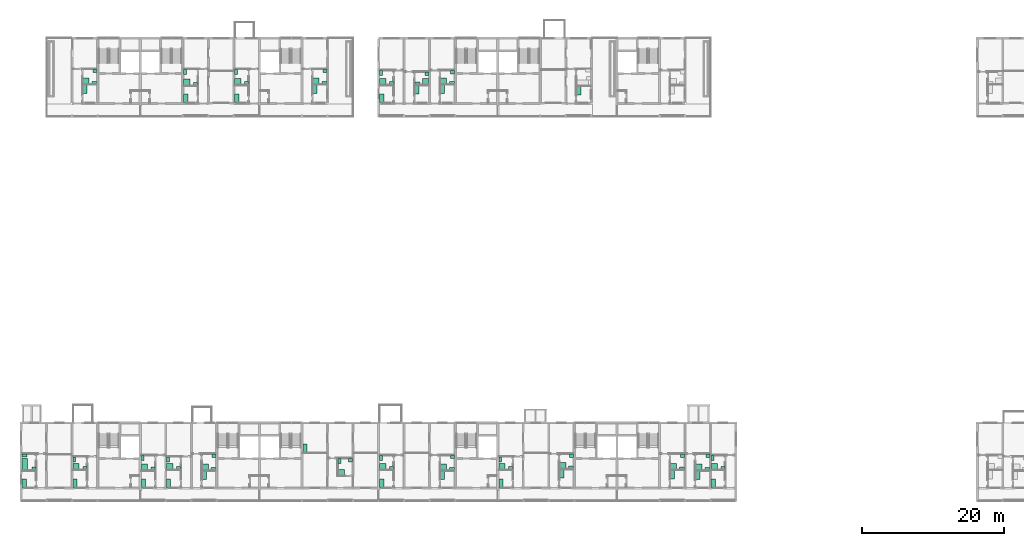
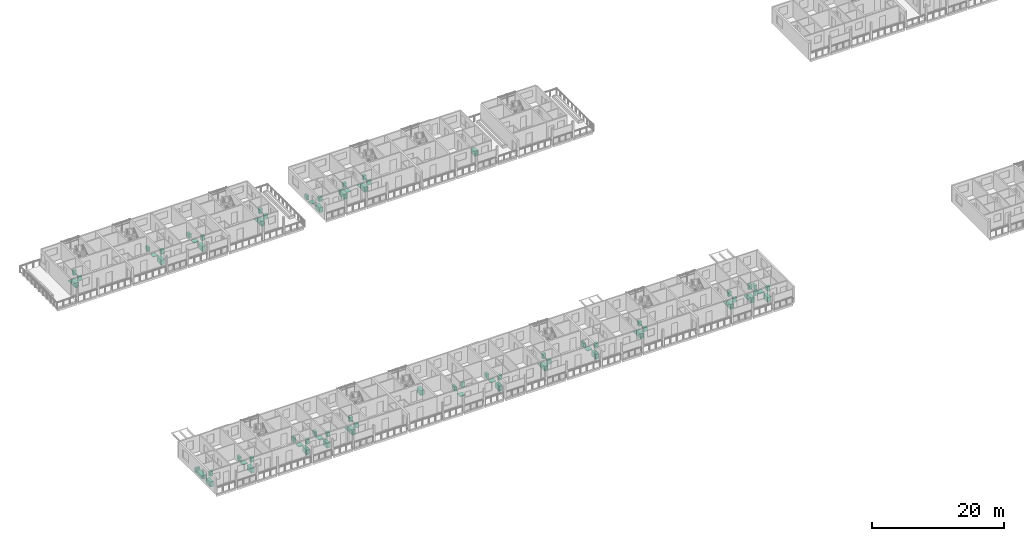
# One storey, part 92 of 94: 81 sanitary terminals.
"""IFC4 building model written with IfcOpenShell, lengths in metres."""

from ifc_helpers import new_model, si_unit, direction, frame, origin, origin_2d, place, context, subcontext, project, spatial, rectangle, extrude, element, save


model = new_model("IFC4")

# Units and contexts
model_context = context("Model", 3, precision=1e-05, world=origin(), true_north=direction((0.0, 1.0)))
body_context = subcontext(model_context, "Body", "Model", "MODEL_VIEW")
ifc_project = project(units=[si_unit("LENGTHUNIT", "METRE"), si_unit("AREAUNIT", "SQUARE_METRE"), si_unit("VOLUMEUNIT", "CUBIC_METRE"), si_unit("PLANEANGLEUNIT", "RADIAN"), si_unit("MASSUNIT", "GRAM", prefix="KILO")], contexts=[model_context])

# Site, building, storey
site_placement = place(None, origin())
site = spatial("IfcSite", under=ifc_project, at=site_placement, CompositionType="ELEMENT")
building_placement = place(site_placement, origin())
building = spatial("IfcBuilding", under=site, at=building_placement, Name="Ridgestep Commons", CompositionType="ELEMENT")
storey_placement = place(building_placement, frame((0.0, 0.0, 21.0)))
storey = spatial("IfcBuildingStorey", under=building, at=storey_placement, Name="L07", CompositionType="ELEMENT", Elevation=21.0)

# Sanitary terminals
sanitary_terminal_1_placement = place(storey_placement, frame((12.52490234375, 17.010009765625, 0.0), z_axis=(0.0, 0.0, 1.0), x_axis=(1.0, 0.0, 0.0)))
element("IfcSanitaryTerminal", 1, at=sanitary_terminal_1_placement, inside=storey, Name="Bath A1-07a", PredefinedType="BATH", context=body_context, shape_type="SweptSolid", body=[
    extrude(rectangle(XDim=0.75, YDim=1.699951171875, at=origin_2d()), origin(), (0.0, 0.0, 1.0), 0.550048828125),
])
sanitary_terminal_2_placement = place(storey_placement, frame((12.5, 18.25, 0.0), z_axis=(0.0, 0.0, 1.0), x_axis=(1.0, 0.0, 0.0)))
element("IfcSanitaryTerminal", 2, at=sanitary_terminal_2_placement, inside=storey, Name="WC A1-07a", PredefinedType="TOILETPAN", context=body_context, shape_type="SweptSolid", body=[
    extrude(rectangle(XDim=0.699951171875, YDim=0.39990234375, at=origin_2d()), origin(), (0.0, 0.0, 1.0), 0.800048828125),
])
sanitary_terminal_3_placement = place(storey_placement, frame((13.81494140625, 16.385009765625, 0.0), z_axis=(0.0, 0.0, 1.0), x_axis=(1.0, 0.0, 0.0)))
element("IfcSanitaryTerminal", 3, at=sanitary_terminal_3_placement, inside=storey, Name="Basin A1-07a", PredefinedType="WASHHANDBASIN", context=body_context, shape_type="SweptSolid", body=[
    extrude(rectangle(XDim=0.550048828125, YDim=0.449951171875, at=origin_2d()), origin(), (0.0, 0.0, 1.0), 0.85009765625),
])
sanitary_terminal_4_placement = place(storey_placement, frame((12.449951171875, 14.35009765625, 0.0), z_axis=(0.0, 0.0, 1.0), x_axis=(1.0, 0.0, 0.0)))
element("IfcSanitaryTerminal", 4, at=sanitary_terminal_4_placement, inside=storey, Name="Kitchen sink A1-07a", PredefinedType="SINK", context=body_context, shape_type="SweptSolid", body=[
    extrude(rectangle(XDim=0.60009765625, YDim=1.199951171875, at=origin_2d()), origin(), (0.0, 0.0, 1.0), 0.89990234375),
])
sanitary_terminal_5_placement = place(storey_placement, frame((19.75, 16.7099609375, 0.0), z_axis=(0.0, 0.0, 1.0), x_axis=(1.0, 0.0, 0.0)))
element("IfcSanitaryTerminal", 5, at=sanitary_terminal_5_placement, inside=storey, Name="Shower tray A1-07b", PredefinedType="SHOWER", context=body_context, shape_type="SweptSolid", body=[
    extrude(rectangle(XDim=0.89990234375, YDim=0.89990234375, at=origin_2d()), origin(), (0.0, 0.0, 1.0), 0.10009765625),
])
sanitary_terminal_6_placement = place(storey_placement, frame((19.5, 17.699951171875, 0.0), z_axis=(0.0, 0.0, 1.0), x_axis=(1.0, 0.0, 0.0)))
element("IfcSanitaryTerminal", 6, at=sanitary_terminal_6_placement, inside=storey, Name="WC A1-07b", PredefinedType="TOILETPAN", context=body_context, shape_type="SweptSolid", body=[
    extrude(rectangle(XDim=0.39990234375, YDim=0.699951171875, at=origin_2d()), origin(), (0.0, 0.0, 1.0), 0.800048828125),
])
sanitary_terminal_7_placement = place(storey_placement, frame((20.989990234375, 16.485107421875, 0.0), z_axis=(0.0, 0.0, 1.0), x_axis=(1.0, 0.0, 0.0)))
element("IfcSanitaryTerminal", 7, at=sanitary_terminal_7_placement, inside=storey, Name="Basin A1-07b", PredefinedType="WASHHANDBASIN", context=body_context, shape_type="SweptSolid", body=[
    extrude(rectangle(XDim=0.550048828125, YDim=0.449951171875, at=origin_2d()), origin(), (0.0, 0.0, 1.0), 0.85009765625),
])
sanitary_terminal_8_placement = place(storey_placement, frame((19.60009765625, 14.35009765625, 0.0), z_axis=(0.0, 0.0, 1.0), x_axis=(1.0, 0.0, 0.0)))
element("IfcSanitaryTerminal", 8, at=sanitary_terminal_8_placement, inside=storey, Name="Kitchen sink A1-07b", PredefinedType="SINK", context=body_context, shape_type="SweptSolid", body=[
    extrude(rectangle(XDim=0.60009765625, YDim=1.199951171875, at=origin_2d()), origin(), (0.0, 0.0, 1.0), 0.89990234375),
])
sanitary_terminal_9_placement = place(storey_placement, frame((29.39990234375, 16.610107421875, 0.0), z_axis=(0.0, 0.0, 1.0), x_axis=(1.0, 0.0, 0.0)))
element("IfcSanitaryTerminal", 9, at=sanitary_terminal_9_placement, inside=storey, Name="Shower tray A2-07a", PredefinedType="SHOWER", context=body_context, shape_type="SweptSolid", body=[
    extrude(rectangle(XDim=0.89990234375, YDim=0.89990234375, at=origin_2d()), origin(), (0.0, 0.0, 1.0), 0.10009765625),
])
sanitary_terminal_10_placement = place(storey_placement, frame((29.14990234375, 17.89990234375, 0.0), z_axis=(0.0, 0.0, 1.0), x_axis=(1.0, 0.0, 0.0)))
element("IfcSanitaryTerminal", 10, at=sanitary_terminal_10_placement, inside=storey, Name="WC A2-07a", PredefinedType="TOILETPAN", context=body_context, shape_type="SweptSolid", body=[
    extrude(rectangle(XDim=0.39990234375, YDim=0.699951171875, at=origin_2d()), origin(), (0.0, 0.0, 1.0), 0.800048828125),
])
sanitary_terminal_11_placement = place(storey_placement, frame((30.614990234375, 16.385009765625, 0.0), z_axis=(0.0, 0.0, 1.0), x_axis=(1.0, 0.0, 0.0)))
element("IfcSanitaryTerminal", 11, at=sanitary_terminal_11_placement, inside=storey, Name="Basin A2-07a", PredefinedType="WASHHANDBASIN", context=body_context, shape_type="SweptSolid", body=[
    extrude(rectangle(XDim=0.550048828125, YDim=0.449951171875, at=origin_2d()), origin(), (0.0, 0.0, 1.0), 0.85009765625),
])
sanitary_terminal_12_placement = place(storey_placement, frame((29.25, 14.35009765625, 0.0), z_axis=(0.0, 0.0, 1.0), x_axis=(1.0, 0.0, 0.0)))
element("IfcSanitaryTerminal", 12, at=sanitary_terminal_12_placement, inside=storey, Name="Kitchen sink A2-07a", PredefinedType="SINK", context=body_context, shape_type="SweptSolid", body=[
    extrude(rectangle(XDim=0.60009765625, YDim=1.199951171875, at=origin_2d()), origin(), (0.0, 0.0, 1.0), 0.89990234375),
])
sanitary_terminal_13_placement = place(storey_placement, frame((32.949951171875, 16.7099609375, 0.0), z_axis=(0.0, 0.0, 1.0), x_axis=(1.0, 0.0, 0.0)))
element("IfcSanitaryTerminal", 13, at=sanitary_terminal_13_placement, inside=storey, Name="Shower tray A2-07b", PredefinedType="SHOWER", context=body_context, shape_type="SweptSolid", body=[
    extrude(rectangle(XDim=0.89990234375, YDim=0.89990234375, at=origin_2d()), origin(), (0.0, 0.0, 1.0), 0.10009765625),
])
sanitary_terminal_14_placement = place(storey_placement, frame((32.699951171875, 17.699951171875, 0.0), z_axis=(0.0, 0.0, 1.0), x_axis=(1.0, 0.0, 0.0)))
element("IfcSanitaryTerminal", 14, at=sanitary_terminal_14_placement, inside=storey, Name="WC A2-07b", PredefinedType="TOILETPAN", context=body_context, shape_type="SweptSolid", body=[
    extrude(rectangle(XDim=0.39990234375, YDim=0.699951171875, at=origin_2d()), origin(), (0.0, 0.0, 1.0), 0.800048828125),
])
sanitary_terminal_15_placement = place(storey_placement, frame((34.215087890625, 16.485107421875, 0.0), z_axis=(0.0, 0.0, 1.0), x_axis=(1.0, 0.0, 0.0)))
element("IfcSanitaryTerminal", 15, at=sanitary_terminal_15_placement, inside=storey, Name="Basin A2-07b", PredefinedType="WASHHANDBASIN", context=body_context, shape_type="SweptSolid", body=[
    extrude(rectangle(XDim=0.550048828125, YDim=0.449951171875, at=origin_2d()), origin(), (0.0, 0.0, 1.0), 0.85009765625),
])
sanitary_terminal_16_placement = place(storey_placement, frame((32.800048828125, 14.35009765625, 0.0), z_axis=(0.0, 0.0, 1.0), x_axis=(1.0, 0.0, 0.0)))
element("IfcSanitaryTerminal", 16, at=sanitary_terminal_16_placement, inside=storey, Name="Kitchen sink A2-07b", PredefinedType="SINK", context=body_context, shape_type="SweptSolid", body=[
    extrude(rectangle(XDim=0.60009765625, YDim=1.199951171875, at=origin_2d()), origin(), (0.0, 0.0, 1.0), 0.89990234375),
])
sanitary_terminal_17_placement = place(storey_placement, frame((37.9599609375, 16.610107421875, 0.0), z_axis=(0.0, 0.0, 1.0), x_axis=(1.0, 0.0, 0.0)))
element("IfcSanitaryTerminal", 17, at=sanitary_terminal_17_placement, inside=storey, Name="Shower tray A2-07c", PredefinedType="SHOWER", context=body_context, shape_type="SweptSolid", body=[
    extrude(rectangle(XDim=0.89990234375, YDim=0.89990234375, at=origin_2d()), origin(), (0.0, 0.0, 1.0), 0.10009765625),
])
sanitary_terminal_18_placement = place(storey_placement, frame((39.125, 16.360107421875, 0.0), z_axis=(0.0, 0.0, 1.0), x_axis=(1.0, 0.0, 0.0)))
element("IfcSanitaryTerminal", 18, at=sanitary_terminal_18_placement, inside=storey, Name="WC A2-07c", PredefinedType="TOILETPAN", context=body_context, shape_type="SweptSolid", body=[
    extrude(rectangle(XDim=0.699951171875, YDim=0.39990234375, at=origin_2d()), origin(), (0.0, 0.0, 1.0), 0.800048828125),
])
sanitary_terminal_19_placement = place(storey_placement, frame((39.199951171875, 18.22509765625, 0.0), z_axis=(0.0, 0.0, 1.0), x_axis=(1.0, 0.0, 0.0)))
element("IfcSanitaryTerminal", 19, at=sanitary_terminal_19_placement, inside=storey, Name="Basin A2-07c", PredefinedType="WASHHANDBASIN", context=body_context, shape_type="SweptSolid", body=[
    extrude(rectangle(XDim=0.550048828125, YDim=0.449951171875, at=origin_2d()), origin(), (0.0, 0.0, 1.0), 0.85009765625),
])
sanitary_terminal_20_placement = place(storey_placement, frame((37.81005859375, 15.449951171875, 0.0), z_axis=(0.0, 0.0, 1.0), x_axis=(1.0, 0.0, 0.0)))
element("IfcSanitaryTerminal", 20, at=sanitary_terminal_20_placement, inside=storey, Name="Kitchen sink A2-07c", PredefinedType="SINK", context=body_context, shape_type="SweptSolid", body=[
    extrude(rectangle(XDim=0.60009765625, YDim=1.199951171875, at=origin_2d()), origin(), (0.0, 0.0, 1.0), 0.89990234375),
])
sanitary_terminal_21_placement = place(storey_placement, frame((57.159912109375, 15.860107421875, 0.0), z_axis=(0.0, 0.0, 1.0), x_axis=(1.0, 0.0, 0.0)))
element("IfcSanitaryTerminal", 21, at=sanitary_terminal_21_placement, inside=storey, Name="Shower tray A3-07a", PredefinedType="SHOWER", context=body_context, shape_type="SweptSolid", body=[
    extrude(rectangle(XDim=0.89990234375, YDim=0.89990234375, at=origin_2d()), origin(), (0.0, 0.0, 1.0), 0.10009765625),
])
sanitary_terminal_22_placement = place(storey_placement, frame((56.909912109375, 17.4599609375, 0.0), z_axis=(0.0, 0.0, 1.0), x_axis=(1.0, 0.0, 0.0)))
element("IfcSanitaryTerminal", 22, at=sanitary_terminal_22_placement, inside=storey, Name="WC A3-07a", PredefinedType="TOILETPAN", context=body_context, shape_type="SweptSolid", body=[
    extrude(rectangle(XDim=0.39990234375, YDim=0.699951171875, at=origin_2d()), origin(), (0.0, 0.0, 1.0), 0.800048828125),
])
sanitary_terminal_23_placement = place(storey_placement, frame((58.425048828125, 17.5849609375, 0.0), z_axis=(0.0, 0.0, 1.0), x_axis=(1.0, 0.0, 0.0)))
element("IfcSanitaryTerminal", 23, at=sanitary_terminal_23_placement, inside=storey, Name="Basin A3-07a", PredefinedType="WASHHANDBASIN", context=body_context, shape_type="SweptSolid", body=[
    extrude(rectangle(XDim=0.550048828125, YDim=0.449951171875, at=origin_2d()), origin(), (0.0, 0.0, 1.0), 0.85009765625),
])
sanitary_terminal_24_placement = place(storey_placement, frame((52.02490234375, 19.260009765625, 0.0), z_axis=(0.0, 0.0, 1.0), x_axis=(1.0, 0.0, 0.0)))
element("IfcSanitaryTerminal", 24, at=sanitary_terminal_24_placement, inside=storey, Name="Kitchen sink A3-07a", PredefinedType="SINK", context=body_context, shape_type="SweptSolid", body=[
    extrude(rectangle(XDim=0.60009765625, YDim=1.199951171875, at=origin_2d()), origin(), (0.0, 0.0, 1.0), 0.89990234375),
])
sanitary_terminal_25_placement = place(storey_placement, frame((63.0, 16.7099609375, 0.0), z_axis=(0.0, 0.0, 1.0), x_axis=(1.0, 0.0, 0.0)))
element("IfcSanitaryTerminal", 25, at=sanitary_terminal_25_placement, inside=storey, Name="Shower tray A4-07a", PredefinedType="SHOWER", context=body_context, shape_type="SweptSolid", body=[
    extrude(rectangle(XDim=0.89990234375, YDim=0.89990234375, at=origin_2d()), origin(), (0.0, 0.0, 1.0), 0.10009765625),
])
sanitary_terminal_26_placement = place(storey_placement, frame((62.75, 17.89990234375, 0.0), z_axis=(0.0, 0.0, 1.0), x_axis=(1.0, 0.0, 0.0)))
element("IfcSanitaryTerminal", 26, at=sanitary_terminal_26_placement, inside=storey, Name="WC A4-07a", PredefinedType="TOILETPAN", context=body_context, shape_type="SweptSolid", body=[
    extrude(rectangle(XDim=0.39990234375, YDim=0.699951171875, at=origin_2d()), origin(), (0.0, 0.0, 1.0), 0.800048828125),
])
sanitary_terminal_27_placement = place(storey_placement, frame((64.215087890625, 16.485107421875, 0.0), z_axis=(0.0, 0.0, 1.0), x_axis=(1.0, 0.0, 0.0)))
element("IfcSanitaryTerminal", 27, at=sanitary_terminal_27_placement, inside=storey, Name="Basin A4-07a", PredefinedType="WASHHANDBASIN", context=body_context, shape_type="SweptSolid", body=[
    extrude(rectangle(XDim=0.550048828125, YDim=0.449951171875, at=origin_2d()), origin(), (0.0, 0.0, 1.0), 0.85009765625),
])
sanitary_terminal_28_placement = place(storey_placement, frame((62.85009765625, 14.35009765625, 0.0), z_axis=(0.0, 0.0, 1.0), x_axis=(1.0, 0.0, 0.0)))
element("IfcSanitaryTerminal", 28, at=sanitary_terminal_28_placement, inside=storey, Name="Kitchen sink A4-07a", PredefinedType="SINK", context=body_context, shape_type="SweptSolid", body=[
    extrude(rectangle(XDim=0.60009765625, YDim=1.199951171875, at=origin_2d()), origin(), (0.0, 0.0, 1.0), 0.89990234375),
])
sanitary_terminal_29_placement = place(storey_placement, frame((71.56005859375, 16.610107421875, 0.0), z_axis=(0.0, 0.0, 1.0), x_axis=(1.0, 0.0, 0.0)))
element("IfcSanitaryTerminal", 29, at=sanitary_terminal_29_placement, inside=storey, Name="Shower tray A4-07b", PredefinedType="SHOWER", context=body_context, shape_type="SweptSolid", body=[
    extrude(rectangle(XDim=0.89990234375, YDim=0.89990234375, at=origin_2d()), origin(), (0.0, 0.0, 1.0), 0.10009765625),
])
sanitary_terminal_30_placement = place(storey_placement, frame((72.72509765625, 16.360107421875, 0.0), z_axis=(0.0, 0.0, 1.0), x_axis=(1.0, 0.0, 0.0)))
element("IfcSanitaryTerminal", 30, at=sanitary_terminal_30_placement, inside=storey, Name="WC A4-07b", PredefinedType="TOILETPAN", context=body_context, shape_type="SweptSolid", body=[
    extrude(rectangle(XDim=0.699951171875, YDim=0.39990234375, at=origin_2d()), origin(), (0.0, 0.0, 1.0), 0.800048828125),
])
sanitary_terminal_31_placement = place(storey_placement, frame((72.800048828125, 18.02490234375, 0.0), z_axis=(0.0, 0.0, 1.0), x_axis=(1.0, 0.0, 0.0)))
element("IfcSanitaryTerminal", 31, at=sanitary_terminal_31_placement, inside=storey, Name="Basin A4-07b", PredefinedType="WASHHANDBASIN", context=body_context, shape_type="SweptSolid", body=[
    extrude(rectangle(XDim=0.550048828125, YDim=0.449951171875, at=origin_2d()), origin(), (0.0, 0.0, 1.0), 0.85009765625),
])
sanitary_terminal_32_placement = place(storey_placement, frame((71.409912109375, 15.449951171875, 0.0), z_axis=(0.0, 0.0, 1.0), x_axis=(1.0, 0.0, 0.0)))
element("IfcSanitaryTerminal", 32, at=sanitary_terminal_32_placement, inside=storey, Name="Kitchen sink A4-07b", PredefinedType="SINK", context=body_context, shape_type="SweptSolid", body=[
    extrude(rectangle(XDim=0.60009765625, YDim=1.199951171875, at=origin_2d()), origin(), (0.0, 0.0, 1.0), 0.89990234375),
])
sanitary_terminal_33_placement = place(storey_placement, frame((79.800048828125, 16.7099609375, 0.0), z_axis=(0.0, 0.0, 1.0), x_axis=(1.0, 0.0, 0.0)))
element("IfcSanitaryTerminal", 33, at=sanitary_terminal_33_placement, inside=storey, Name="Shower tray A5-07a", PredefinedType="SHOWER", context=body_context, shape_type="SweptSolid", body=[
    extrude(rectangle(XDim=0.89990234375, YDim=0.89990234375, at=origin_2d()), origin(), (0.0, 0.0, 1.0), 0.10009765625),
])
sanitary_terminal_34_placement = place(storey_placement, frame((79.550048828125, 17.699951171875, 0.0), z_axis=(0.0, 0.0, 1.0), x_axis=(1.0, 0.0, 0.0)))
element("IfcSanitaryTerminal", 34, at=sanitary_terminal_34_placement, inside=storey, Name="WC A5-07a", PredefinedType="TOILETPAN", context=body_context, shape_type="SweptSolid", body=[
    extrude(rectangle(XDim=0.39990234375, YDim=0.699951171875, at=origin_2d()), origin(), (0.0, 0.0, 1.0), 0.800048828125),
])
sanitary_terminal_35_placement = place(storey_placement, frame((81.014892578125, 16.485107421875, 0.0), z_axis=(0.0, 0.0, 1.0), x_axis=(1.0, 0.0, 0.0)))
element("IfcSanitaryTerminal", 35, at=sanitary_terminal_35_placement, inside=storey, Name="Basin A5-07a", PredefinedType="WASHHANDBASIN", context=body_context, shape_type="SweptSolid", body=[
    extrude(rectangle(XDim=0.550048828125, YDim=0.449951171875, at=origin_2d()), origin(), (0.0, 0.0, 1.0), 0.85009765625),
])
sanitary_terminal_36_placement = place(storey_placement, frame((79.64990234375, 14.35009765625, 0.0), z_axis=(0.0, 0.0, 1.0), x_axis=(1.0, 0.0, 0.0)))
element("IfcSanitaryTerminal", 36, at=sanitary_terminal_36_placement, inside=storey, Name="Kitchen sink A5-07a", PredefinedType="SINK", context=body_context, shape_type="SweptSolid", body=[
    extrude(rectangle(XDim=0.60009765625, YDim=1.199951171875, at=origin_2d()), origin(), (0.0, 0.0, 1.0), 0.89990234375),
])
sanitary_terminal_37_placement = place(storey_placement, frame((88.360107421875, 16.81005859375, 0.0), z_axis=(0.0, 0.0, 1.0), x_axis=(1.0, 0.0, 0.0)))
element("IfcSanitaryTerminal", 37, at=sanitary_terminal_37_placement, inside=storey, Name="Shower tray A5-07b", PredefinedType="SHOWER", context=body_context, shape_type="SweptSolid", body=[
    extrude(rectangle(XDim=0.89990234375, YDim=0.89990234375, at=origin_2d()), origin(), (0.0, 0.0, 1.0), 0.10009765625),
])
sanitary_terminal_38_placement = place(storey_placement, frame((89.52490234375, 16.56005859375, 0.0), z_axis=(0.0, 0.0, 1.0), x_axis=(1.0, 0.0, 0.0)))
element("IfcSanitaryTerminal", 38, at=sanitary_terminal_38_placement, inside=storey, Name="WC A5-07b", PredefinedType="TOILETPAN", context=body_context, shape_type="SweptSolid", body=[
    extrude(rectangle(XDim=0.699951171875, YDim=0.39990234375, at=origin_2d()), origin(), (0.0, 0.0, 1.0), 0.800048828125),
])
sanitary_terminal_39_placement = place(storey_placement, frame((89.60009765625, 18.22509765625, 0.0), z_axis=(0.0, 0.0, 1.0), x_axis=(1.0, 0.0, 0.0)))
element("IfcSanitaryTerminal", 39, at=sanitary_terminal_39_placement, inside=storey, Name="Basin A5-07b", PredefinedType="WASHHANDBASIN", context=body_context, shape_type="SweptSolid", body=[
    extrude(rectangle(XDim=0.550048828125, YDim=0.449951171875, at=origin_2d()), origin(), (0.0, 0.0, 1.0), 0.85009765625),
])
sanitary_terminal_40_placement = place(storey_placement, frame((88.2099609375, 15.64990234375, 0.0), z_axis=(0.0, 0.0, 1.0), x_axis=(1.0, 0.0, 0.0)))
element("IfcSanitaryTerminal", 40, at=sanitary_terminal_40_placement, inside=storey, Name="Kitchen sink A5-07b", PredefinedType="SINK", context=body_context, shape_type="SweptSolid", body=[
    extrude(rectangle(XDim=0.60009765625, YDim=1.199951171875, at=origin_2d()), origin(), (0.0, 0.0, 1.0), 0.89990234375),
])
sanitary_terminal_41_placement = place(storey_placement, frame((109.75, 16.7099609375, 0.0), z_axis=(0.0, 0.0, 1.0), x_axis=(1.0, 0.0, 0.0)))
element("IfcSanitaryTerminal", 41, at=sanitary_terminal_41_placement, inside=storey, Name="Shower tray A6-07a", PredefinedType="SHOWER", context=body_context, shape_type="SweptSolid", body=[
    extrude(rectangle(XDim=0.89990234375, YDim=0.89990234375, at=origin_2d()), origin(), (0.0, 0.0, 1.0), 0.10009765625),
])
sanitary_terminal_42_placement = place(storey_placement, frame((109.5, 17.89990234375, 0.0), z_axis=(0.0, 0.0, 1.0), x_axis=(1.0, 0.0, 0.0)))
element("IfcSanitaryTerminal", 42, at=sanitary_terminal_42_placement, inside=storey, Name="WC A6-07a", PredefinedType="TOILETPAN", context=body_context, shape_type="SweptSolid", body=[
    extrude(rectangle(XDim=0.39990234375, YDim=0.699951171875, at=origin_2d()), origin(), (0.0, 0.0, 1.0), 0.800048828125),
])
sanitary_terminal_43_placement = place(storey_placement, frame((110.965087890625, 16.485107421875, 0.0), z_axis=(0.0, 0.0, 1.0), x_axis=(1.0, 0.0, 0.0)))
element("IfcSanitaryTerminal", 43, at=sanitary_terminal_43_placement, inside=storey, Name="Basin A6-07a", PredefinedType="WASHHANDBASIN", context=body_context, shape_type="SweptSolid", body=[
    extrude(rectangle(XDim=0.550048828125, YDim=0.449951171875, at=origin_2d()), origin(), (0.0, 0.0, 1.0), 0.85009765625),
])
sanitary_terminal_44_placement = place(storey_placement, frame((109.60009765625, 14.35009765625, 0.0), z_axis=(0.0, 0.0, 1.0), x_axis=(1.0, 0.0, 0.0)))
element("IfcSanitaryTerminal", 44, at=sanitary_terminal_44_placement, inside=storey, Name="Kitchen sink A6-07a", PredefinedType="SINK", context=body_context, shape_type="SweptSolid", body=[
    extrude(rectangle(XDim=0.60009765625, YDim=1.199951171875, at=origin_2d()), origin(), (0.0, 0.0, 1.0), 0.89990234375),
])
sanitary_terminal_45_placement = place(storey_placement, frame((107.56005859375, 16.610107421875, 0.0), z_axis=(0.0, 0.0, 1.0), x_axis=(1.0, 0.0, 0.0)))
element("IfcSanitaryTerminal", 45, at=sanitary_terminal_45_placement, inside=storey, Name="Shower tray A6-07b", PredefinedType="SHOWER", context=body_context, shape_type="SweptSolid", body=[
    extrude(rectangle(XDim=0.89990234375, YDim=0.89990234375, at=origin_2d()), origin(), (0.0, 0.0, 1.0), 0.10009765625),
])
sanitary_terminal_46_placement = place(storey_placement, frame((108.75, 16.360107421875, 0.0), z_axis=(0.0, 0.0, 1.0), x_axis=(1.0, 0.0, 0.0)))
element("IfcSanitaryTerminal", 46, at=sanitary_terminal_46_placement, inside=storey, Name="WC A6-07b", PredefinedType="TOILETPAN", context=body_context, shape_type="SweptSolid", body=[
    extrude(rectangle(XDim=0.699951171875, YDim=0.39990234375, at=origin_2d()), origin(), (0.0, 0.0, 1.0), 0.800048828125),
])
sanitary_terminal_47_placement = place(storey_placement, frame((108.824951171875, 18.22509765625, 0.0), z_axis=(0.0, 0.0, 1.0), x_axis=(1.0, 0.0, 0.0)))
element("IfcSanitaryTerminal", 47, at=sanitary_terminal_47_placement, inside=storey, Name="Basin A6-07b", PredefinedType="WASHHANDBASIN", context=body_context, shape_type="SweptSolid", body=[
    extrude(rectangle(XDim=0.550048828125, YDim=0.449951171875, at=origin_2d()), origin(), (0.0, 0.0, 1.0), 0.85009765625),
])
sanitary_terminal_48_placement = place(storey_placement, frame((107.409912109375, 15.449951171875, 0.0), z_axis=(0.0, 0.0, 1.0), x_axis=(1.0, 0.0, 0.0)))
element("IfcSanitaryTerminal", 48, at=sanitary_terminal_48_placement, inside=storey, Name="Kitchen sink A6-07b", PredefinedType="SINK", context=body_context, shape_type="SweptSolid", body=[
    extrude(rectangle(XDim=0.60009765625, YDim=1.199951171875, at=origin_2d()), origin(), (0.0, 0.0, 1.0), 0.89990234375),
])
sanitary_terminal_49_placement = place(storey_placement, frame((103.985107421875, 16.7099609375, 0.0), z_axis=(0.0, 0.0, 1.0), x_axis=(1.0, 0.0, 0.0)))
element("IfcSanitaryTerminal", 49, at=sanitary_terminal_49_placement, inside=storey, Name="Shower tray A6-07c", PredefinedType="SHOWER", context=body_context, shape_type="SweptSolid", body=[
    extrude(rectangle(XDim=0.89990234375, YDim=0.89990234375, at=origin_2d()), origin(), (0.0, 0.0, 1.0), 0.10009765625),
])
sanitary_terminal_50_placement = place(storey_placement, frame((105.14990234375, 16.4599609375, 0.0), z_axis=(0.0, 0.0, 1.0), x_axis=(1.0, 0.0, 0.0)))
element("IfcSanitaryTerminal", 50, at=sanitary_terminal_50_placement, inside=storey, Name="WC A6-07c", PredefinedType="TOILETPAN", context=body_context, shape_type="SweptSolid", body=[
    extrude(rectangle(XDim=0.699951171875, YDim=0.39990234375, at=origin_2d()), origin(), (0.0, 0.0, 1.0), 0.800048828125),
])
sanitary_terminal_51_placement = place(storey_placement, frame((105.22509765625, 18.22509765625, 0.0), z_axis=(0.0, 0.0, 1.0), x_axis=(1.0, 0.0, 0.0)))
element("IfcSanitaryTerminal", 51, at=sanitary_terminal_51_placement, inside=storey, Name="Basin A6-07c", PredefinedType="WASHHANDBASIN", context=body_context, shape_type="SweptSolid", body=[
    extrude(rectangle(XDim=0.550048828125, YDim=0.449951171875, at=origin_2d()), origin(), (0.0, 0.0, 1.0), 0.85009765625),
])
sanitary_terminal_52_placement = place(storey_placement, frame((103.8349609375, 15.550048828125, 0.0), z_axis=(0.0, 0.0, 1.0), x_axis=(1.0, 0.0, 0.0)))
element("IfcSanitaryTerminal", 52, at=sanitary_terminal_52_placement, inside=storey, Name="Kitchen sink A6-07c", PredefinedType="SINK", context=body_context, shape_type="SweptSolid", body=[
    extrude(rectangle(XDim=0.60009765625, YDim=1.199951171875, at=origin_2d()), origin(), (0.0, 0.0, 1.0), 0.89990234375),
])
sanitary_terminal_53_placement = place(storey_placement, frame((21.159912109375, 71.06005859375, 0.0), z_axis=(0.0, 0.0, 1.0), x_axis=(1.0, 0.0, 0.0)))
element("IfcSanitaryTerminal", 53, at=sanitary_terminal_53_placement, inside=storey, Name="Shower tray B1-07a", PredefinedType="SHOWER", context=body_context, shape_type="SweptSolid", body=[
    extrude(rectangle(XDim=0.89990234375, YDim=0.89990234375, at=origin_2d()), origin(), (0.0, 0.0, 1.0), 0.10009765625),
])
sanitary_terminal_54_placement = place(storey_placement, frame((22.324951171875, 70.81005859375, 0.0), z_axis=(0.0, 0.0, 1.0), x_axis=(1.0, 0.0, 0.0)))
element("IfcSanitaryTerminal", 54, at=sanitary_terminal_54_placement, inside=storey, Name="WC B1-07a", PredefinedType="TOILETPAN", context=body_context, shape_type="SweptSolid", body=[
    extrude(rectangle(XDim=0.699951171875, YDim=0.39990234375, at=origin_2d()), origin(), (0.0, 0.0, 1.0), 0.800048828125),
])
sanitary_terminal_55_placement = place(storey_placement, frame((22.39990234375, 72.47509765625, 0.0), z_axis=(0.0, 0.0, 1.0), x_axis=(1.0, 0.0, 0.0)))
element("IfcSanitaryTerminal", 55, at=sanitary_terminal_55_placement, inside=storey, Name="Basin B1-07a", PredefinedType="WASHHANDBASIN", context=body_context, shape_type="SweptSolid", body=[
    extrude(rectangle(XDim=0.550048828125, YDim=0.449951171875, at=origin_2d()), origin(), (0.0, 0.0, 1.0), 0.85009765625),
])
sanitary_terminal_56_placement = place(storey_placement, frame((21.010009765625, 69.89990234375, 0.0), z_axis=(0.0, 0.0, 1.0), x_axis=(1.0, 0.0, 0.0)))
element("IfcSanitaryTerminal", 56, at=sanitary_terminal_56_placement, inside=storey, Name="Kitchen sink B1-07a", PredefinedType="SINK", context=body_context, shape_type="SweptSolid", body=[
    extrude(rectangle(XDim=0.60009765625, YDim=1.199951171875, at=origin_2d()), origin(), (0.0, 0.0, 1.0), 0.89990234375),
])
sanitary_terminal_57_placement = place(storey_placement, frame((42.550048828125, 70.9599609375, 0.0), z_axis=(0.0, 0.0, 1.0), x_axis=(1.0, 0.0, 0.0)))
element("IfcSanitaryTerminal", 57, at=sanitary_terminal_57_placement, inside=storey, Name="Shower tray B2-07a", PredefinedType="SHOWER", context=body_context, shape_type="SweptSolid", body=[
    extrude(rectangle(XDim=0.89990234375, YDim=0.89990234375, at=origin_2d()), origin(), (0.0, 0.0, 1.0), 0.10009765625),
])
sanitary_terminal_58_placement = place(storey_placement, frame((42.300048828125, 72.35009765625, 0.0), z_axis=(0.0, 0.0, 1.0), x_axis=(1.0, 0.0, 0.0)))
element("IfcSanitaryTerminal", 58, at=sanitary_terminal_58_placement, inside=storey, Name="WC B2-07a", PredefinedType="TOILETPAN", context=body_context, shape_type="SweptSolid", body=[
    extrude(rectangle(XDim=0.39990234375, YDim=0.699951171875, at=origin_2d()), origin(), (0.0, 0.0, 1.0), 0.800048828125),
])
sanitary_terminal_59_placement = place(storey_placement, frame((43.764892578125, 70.735107421875, 0.0), z_axis=(0.0, 0.0, 1.0), x_axis=(1.0, 0.0, 0.0)))
element("IfcSanitaryTerminal", 59, at=sanitary_terminal_59_placement, inside=storey, Name="Basin B2-07a", PredefinedType="WASHHANDBASIN", context=body_context, shape_type="SweptSolid", body=[
    extrude(rectangle(XDim=0.550048828125, YDim=0.449951171875, at=origin_2d()), origin(), (0.0, 0.0, 1.0), 0.85009765625),
])
sanitary_terminal_60_placement = place(storey_placement, frame((42.39990234375, 68.60009765625, 0.0), z_axis=(0.0, 0.0, 1.0), x_axis=(1.0, 0.0, 0.0)))
element("IfcSanitaryTerminal", 60, at=sanitary_terminal_60_placement, inside=storey, Name="Kitchen sink B2-07a", PredefinedType="SINK", context=body_context, shape_type="SweptSolid", body=[
    extrude(rectangle(XDim=0.60009765625, YDim=1.199951171875, at=origin_2d()), origin(), (0.0, 0.0, 1.0), 0.89990234375),
])
sanitary_terminal_61_placement = place(storey_placement, frame((35.375, 70.860107421875, 0.0), z_axis=(0.0, 0.0, 1.0), x_axis=(1.0, 0.0, 0.0)))
element("IfcSanitaryTerminal", 61, at=sanitary_terminal_61_placement, inside=storey, Name="Shower tray B2-07b", PredefinedType="SHOWER", context=body_context, shape_type="SweptSolid", body=[
    extrude(rectangle(XDim=0.89990234375, YDim=0.89990234375, at=origin_2d()), origin(), (0.0, 0.0, 1.0), 0.10009765625),
])
sanitary_terminal_62_placement = place(storey_placement, frame((35.125, 72.35009765625, 0.0), z_axis=(0.0, 0.0, 1.0), x_axis=(1.0, 0.0, 0.0)))
element("IfcSanitaryTerminal", 62, at=sanitary_terminal_62_placement, inside=storey, Name="WC B2-07b", PredefinedType="TOILETPAN", context=body_context, shape_type="SweptSolid", body=[
    extrude(rectangle(XDim=0.39990234375, YDim=0.699951171875, at=origin_2d()), origin(), (0.0, 0.0, 1.0), 0.800048828125),
])
sanitary_terminal_63_placement = place(storey_placement, frame((36.614990234375, 70.635009765625, 0.0), z_axis=(0.0, 0.0, 1.0), x_axis=(1.0, 0.0, 0.0)))
element("IfcSanitaryTerminal", 63, at=sanitary_terminal_63_placement, inside=storey, Name="Basin B2-07b", PredefinedType="WASHHANDBASIN", context=body_context, shape_type="SweptSolid", body=[
    extrude(rectangle(XDim=0.550048828125, YDim=0.449951171875, at=origin_2d()), origin(), (0.0, 0.0, 1.0), 0.85009765625),
])
sanitary_terminal_64_placement = place(storey_placement, frame((35.22509765625, 68.60009765625, 0.0), z_axis=(0.0, 0.0, 1.0), x_axis=(1.0, 0.0, 0.0)))
element("IfcSanitaryTerminal", 64, at=sanitary_terminal_64_placement, inside=storey, Name="Kitchen sink B2-07b", PredefinedType="SINK", context=body_context, shape_type="SweptSolid", body=[
    extrude(rectangle(XDim=0.60009765625, YDim=1.199951171875, at=origin_2d()), origin(), (0.0, 0.0, 1.0), 0.89990234375),
])
sanitary_terminal_65_placement = place(storey_placement, frame((53.5849609375, 71.06005859375, 0.0), z_axis=(0.0, 0.0, 1.0), x_axis=(1.0, 0.0, 0.0)))
element("IfcSanitaryTerminal", 65, at=sanitary_terminal_65_placement, inside=storey, Name="Shower tray B3-07a", PredefinedType="SHOWER", context=body_context, shape_type="SweptSolid", body=[
    extrude(rectangle(XDim=0.89990234375, YDim=0.89990234375, at=origin_2d()), origin(), (0.0, 0.0, 1.0), 0.10009765625),
])
sanitary_terminal_66_placement = place(storey_placement, frame((54.75, 70.81005859375, 0.0), z_axis=(0.0, 0.0, 1.0), x_axis=(1.0, 0.0, 0.0)))
element("IfcSanitaryTerminal", 66, at=sanitary_terminal_66_placement, inside=storey, Name="WC B3-07a", PredefinedType="TOILETPAN", context=body_context, shape_type="SweptSolid", body=[
    extrude(rectangle(XDim=0.699951171875, YDim=0.39990234375, at=origin_2d()), origin(), (0.0, 0.0, 1.0), 0.800048828125),
])
sanitary_terminal_67_placement = place(storey_placement, frame((54.824951171875, 72.47509765625, 0.0), z_axis=(0.0, 0.0, 1.0), x_axis=(1.0, 0.0, 0.0)))
element("IfcSanitaryTerminal", 67, at=sanitary_terminal_67_placement, inside=storey, Name="Basin B3-07a", PredefinedType="WASHHANDBASIN", context=body_context, shape_type="SweptSolid", body=[
    extrude(rectangle(XDim=0.550048828125, YDim=0.449951171875, at=origin_2d()), origin(), (0.0, 0.0, 1.0), 0.85009765625),
])
sanitary_terminal_68_placement = place(storey_placement, frame((53.43505859375, 69.89990234375, 0.0), z_axis=(0.0, 0.0, 1.0), x_axis=(1.0, 0.0, 0.0)))
element("IfcSanitaryTerminal", 68, at=sanitary_terminal_68_placement, inside=storey, Name="Kitchen sink B3-07a", PredefinedType="SINK", context=body_context, shape_type="SweptSolid", body=[
    extrude(rectangle(XDim=0.60009765625, YDim=1.199951171875, at=origin_2d()), origin(), (0.0, 0.0, 1.0), 0.89990234375),
])
sanitary_terminal_69_placement = place(storey_placement, frame((63.0, 70.9599609375, 0.0), z_axis=(0.0, 0.0, 1.0), x_axis=(1.0, 0.0, 0.0)))
element("IfcSanitaryTerminal", 69, at=sanitary_terminal_69_placement, inside=storey, Name="Shower tray B4-07a", PredefinedType="SHOWER", context=body_context, shape_type="SweptSolid", body=[
    extrude(rectangle(XDim=0.89990234375, YDim=0.89990234375, at=origin_2d()), origin(), (0.0, 0.0, 1.0), 0.10009765625),
])
sanitary_terminal_70_placement = place(storey_placement, frame((62.75, 72.14990234375, 0.0), z_axis=(0.0, 0.0, 1.0), x_axis=(1.0, 0.0, 0.0)))
element("IfcSanitaryTerminal", 70, at=sanitary_terminal_70_placement, inside=storey, Name="WC B4-07a", PredefinedType="TOILETPAN", context=body_context, shape_type="SweptSolid", body=[
    extrude(rectangle(XDim=0.39990234375, YDim=0.699951171875, at=origin_2d()), origin(), (0.0, 0.0, 1.0), 0.800048828125),
])
sanitary_terminal_71_placement = place(storey_placement, frame((64.215087890625, 70.735107421875, 0.0), z_axis=(0.0, 0.0, 1.0), x_axis=(1.0, 0.0, 0.0)))
element("IfcSanitaryTerminal", 71, at=sanitary_terminal_71_placement, inside=storey, Name="Basin B4-07a", PredefinedType="WASHHANDBASIN", context=body_context, shape_type="SweptSolid", body=[
    extrude(rectangle(XDim=0.550048828125, YDim=0.449951171875, at=origin_2d()), origin(), (0.0, 0.0, 1.0), 0.85009765625),
])
sanitary_terminal_72_placement = place(storey_placement, frame((62.85009765625, 68.60009765625, 0.0), z_axis=(0.0, 0.0, 1.0), x_axis=(1.0, 0.0, 0.0)))
element("IfcSanitaryTerminal", 72, at=sanitary_terminal_72_placement, inside=storey, Name="Kitchen sink B4-07a", PredefinedType="SINK", context=body_context, shape_type="SweptSolid", body=[
    extrude(rectangle(XDim=0.60009765625, YDim=1.199951171875, at=origin_2d()), origin(), (0.0, 0.0, 1.0), 0.89990234375),
])
sanitary_terminal_73_placement = place(storey_placement, frame((69.050048828125, 70.9599609375, 0.0), z_axis=(0.0, 0.0, 1.0), x_axis=(1.0, 0.0, 0.0)))
element("IfcSanitaryTerminal", 73, at=sanitary_terminal_73_placement, inside=storey, Name="Shower tray B4-07b", PredefinedType="SHOWER", context=body_context, shape_type="SweptSolid", body=[
    extrude(rectangle(XDim=0.89990234375, YDim=0.89990234375, at=origin_2d()), origin(), (0.0, 0.0, 1.0), 0.10009765625),
])
sanitary_terminal_74_placement = place(storey_placement, frame((67.860107421875, 70.7099609375, 0.0), z_axis=(0.0, 0.0, 1.0), x_axis=(1.0, 0.0, 0.0)))
element("IfcSanitaryTerminal", 74, at=sanitary_terminal_74_placement, inside=storey, Name="WC B4-07b", PredefinedType="TOILETPAN", context=body_context, shape_type="SweptSolid", body=[
    extrude(rectangle(XDim=0.699951171875, YDim=0.39990234375, at=origin_2d()), origin(), (0.0, 0.0, 1.0), 0.800048828125),
])
sanitary_terminal_75_placement = place(storey_placement, frame((69.22509765625, 72.074951171875, 0.0), z_axis=(0.0, 0.0, 1.0), x_axis=(1.0, 0.0, 0.0)))
element("IfcSanitaryTerminal", 75, at=sanitary_terminal_75_placement, inside=storey, Name="Basin B4-07b", PredefinedType="WASHHANDBASIN", context=body_context, shape_type="SweptSolid", body=[
    extrude(rectangle(XDim=0.550048828125, YDim=0.449951171875, at=origin_2d()), origin(), (0.0, 0.0, 1.0), 0.85009765625),
])
sanitary_terminal_76_placement = place(storey_placement, frame((67.81005859375, 69.800048828125, 0.0), z_axis=(0.0, 0.0, 1.0), x_axis=(1.0, 0.0, 0.0)))
element("IfcSanitaryTerminal", 76, at=sanitary_terminal_76_placement, inside=storey, Name="Kitchen sink B4-07b", PredefinedType="SINK", context=body_context, shape_type="SweptSolid", body=[
    extrude(rectangle(XDim=0.60009765625, YDim=1.199951171875, at=origin_2d()), origin(), (0.0, 0.0, 1.0), 0.89990234375),
])
sanitary_terminal_77_placement = place(storey_placement, frame((71.56005859375, 71.06005859375, 0.0), z_axis=(0.0, 0.0, 1.0), x_axis=(1.0, 0.0, 0.0)))
element("IfcSanitaryTerminal", 77, at=sanitary_terminal_77_placement, inside=storey, Name="Shower tray B4-07c", PredefinedType="SHOWER", context=body_context, shape_type="SweptSolid", body=[
    extrude(rectangle(XDim=0.89990234375, YDim=0.89990234375, at=origin_2d()), origin(), (0.0, 0.0, 1.0), 0.10009765625),
])
sanitary_terminal_78_placement = place(storey_placement, frame((72.72509765625, 70.81005859375, 0.0), z_axis=(0.0, 0.0, 1.0), x_axis=(1.0, 0.0, 0.0)))
element("IfcSanitaryTerminal", 78, at=sanitary_terminal_78_placement, inside=storey, Name="WC B4-07c", PredefinedType="TOILETPAN", context=body_context, shape_type="SweptSolid", body=[
    extrude(rectangle(XDim=0.699951171875, YDim=0.39990234375, at=origin_2d()), origin(), (0.0, 0.0, 1.0), 0.800048828125),
])
sanitary_terminal_79_placement = place(storey_placement, frame((72.800048828125, 72.27490234375, 0.0), z_axis=(0.0, 0.0, 1.0), x_axis=(1.0, 0.0, 0.0)))
element("IfcSanitaryTerminal", 79, at=sanitary_terminal_79_placement, inside=storey, Name="Basin B4-07c", PredefinedType="WASHHANDBASIN", context=body_context, shape_type="SweptSolid", body=[
    extrude(rectangle(XDim=0.550048828125, YDim=0.449951171875, at=origin_2d()), origin(), (0.0, 0.0, 1.0), 0.85009765625),
])
for number, where, z_axis, x_axis, name in (
    (80, (71.409912109375, 69.89990234375, 0.0), (0.0, 0.0, 1.0), (1.0, 0.0, 0.0), "Kitchen sink B4-07c"),
    (81, (90.610107421875, 69.699951171875, 0.0), (0.0, 0.0, 1.0), (1.0, 0.0, 0.0), "Kitchen sink B5-07a"),
):
    element("IfcSanitaryTerminal", number, at=place(storey_placement, frame(where, z_axis=z_axis, x_axis=x_axis)), inside=storey, Name=name, PredefinedType="SINK", context=body_context, shape_type="SweptSolid", body=[
        extrude(rectangle(XDim=0.60009765625, YDim=1.199951171875, at=origin_2d()), origin(), (0.0, 0.0, 1.0), 0.89990234375),
    ])

save(model, "model.ifc")
